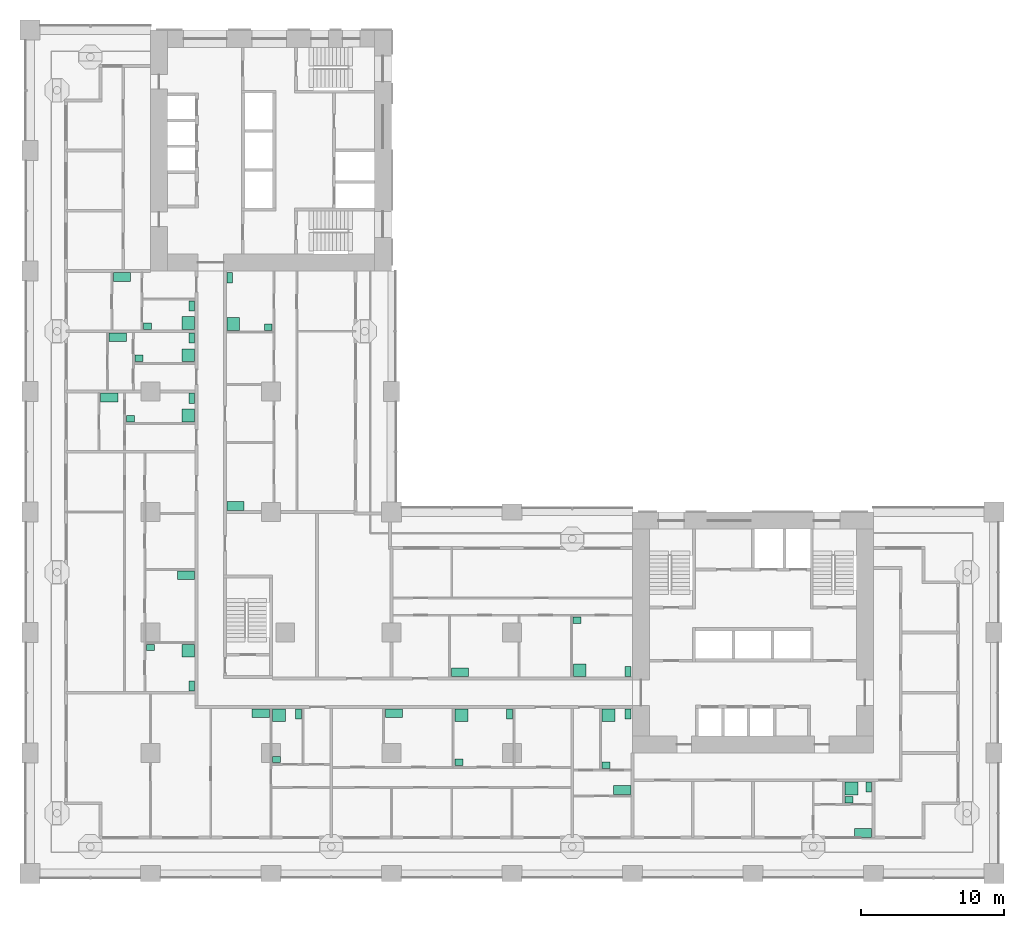
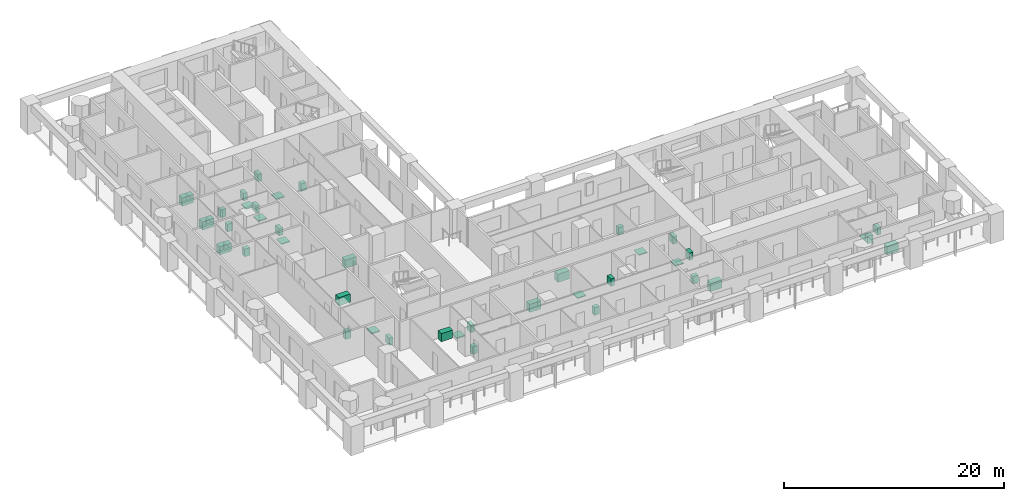
# One storey, part 17 of 19: 40 sanitary terminals.
"""IFC4 building model written with IfcOpenShell, lengths in metres."""

import ifcopenshell
import ifcopenshell.guid

model = None  # the IFC model being written
_history = None  # IfcOwnerHistory: only IFC2X3 demands one
_inside = {}  # id of a spatial element -> (the spatial element, [elements in it])
_under = {}  # id of a project, library or spatial element -> (it, [spatial elements below it])
_declared = {}  # id of a project -> (the project, [libraries it declares])
_typed = {}  # id of a type object -> (the type object, [elements of that type])
_made_of = {}  # id of a material, layer set ... -> (it, [elements and type objects made of it])


def new_model(schema):
    """Start an empty IFC model of exactly this schema.

    Asked for "IFC4X3", IfcOpenShell would pick the latest addendum, in which some entities
    have other attributes; the version numbers below select the first issue.
    IFC2X3 requires an IfcOwnerHistory on every rooted entity: one is made here for all.
    """
    global model, _history
    if schema == "IFC4X3":
        model = ifcopenshell.file(schema_version=(4, 3, 0, 0))
    else:
        model = ifcopenshell.file(schema=schema)
    _inside.clear()
    _under.clear()
    _declared.clear()
    _typed.clear()
    _made_of.clear()
    _history = None
    if model.schema == "IFC2X3":
        org = make("IfcOrganization", Name="unknown")
        user = make(
            "IfcPersonAndOrganization",
            ThePerson=make("IfcPerson", FamilyName="unknown"),
            TheOrganization=org,
        )
        app = make(
            "IfcApplication",
            ApplicationDeveloper=org,
            Version="unknown",
            ApplicationFullName="unknown",
            ApplicationIdentifier="unknown",
        )
        _history = make(
            "IfcOwnerHistory",
            OwningUser=user,
            OwningApplication=app,
            ChangeAction="ADDED",
            CreationDate=0,
        )
    return model


def make(cls, **values):
    """One entity of the class cls with the attributes given. An attribute that is None is left unset."""
    return model.create_entity(
        cls, **{name: value for name, value in values.items() if value is not None}
    )


def rooted(cls, **values):
    """An entity with a GlobalId (a new one), such as an element, a storey or a relation."""
    return make(cls, GlobalId=ifcopenshell.guid.new(), OwnerHistory=_history, **values)


def si_unit(unit_type, name, prefix=None):
    """IfcSIUnit, for example si_unit("LENGTHUNIT", "METRE", prefix="MILLI")."""
    return make("IfcSIUnit", UnitType=unit_type, Prefix=prefix, Name=name)


def assignment(units):
    """IfcUnitAssignment: the units of a project."""
    return None if units is None else make("IfcUnitAssignment", Units=units)


def point(xyz):
    """IfcCartesianPoint."""
    return None if xyz is None else make("IfcCartesianPoint", Coordinates=xyz)


def direction(xyz):
    """IfcDirection."""
    return None if xyz is None else make("IfcDirection", DirectionRatios=xyz)


def frame(location, z_axis=None, x_axis=None):
    """IfcAxis2Placement3D, a coordinate frame: its origin and axes. An axis left out is left unset."""
    return make(
        "IfcAxis2Placement3D",
        Location=point(location),
        Axis=direction(z_axis),
        RefDirection=direction(x_axis),
    )


def frame_2d(location, x_axis=None):
    """IfcAxis2Placement2D, a coordinate frame in the plane: its origin and x axis."""
    return make(
        "IfcAxis2Placement2D", Location=point(location), RefDirection=direction(x_axis)
    )


def origin():
    """The frame at (0, 0, 0) with its axes left unset."""
    return frame((0.0, 0.0, 0.0))


def origin_2d():
    """The frame at (0, 0) in the plane with its x axis left unset."""
    return frame_2d((0.0, 0.0))


def place(relative_to, where):
    """IfcLocalPlacement: puts the frame where relative to a parent placement (None: the world)."""
    return make(
        "IfcLocalPlacement", PlacementRelTo=relative_to, RelativePlacement=where
    )


def context(
    kind, dimensions, precision=None, world=None, true_north=None, identifier=None
):
    """IfcGeometricRepresentationContext, for example the 3D "Model" context."""
    return make(
        "IfcGeometricRepresentationContext",
        ContextIdentifier=identifier,
        ContextType=kind,
        CoordinateSpaceDimension=dimensions,
        Precision=precision,
        WorldCoordinateSystem=world,
        TrueNorth=true_north,
    )


def subcontext(parent, identifier, kind, view, scale=None):
    """IfcGeometricRepresentationSubContext, for example "Body" below "Model"."""
    return make(
        "IfcGeometricRepresentationSubContext",
        ContextIdentifier=identifier,
        ContextType=kind,
        ParentContext=parent,
        TargetScale=scale,
        TargetView=view,
    )


def project(units=None, contexts=None):
    """IfcProject with its units and contexts."""
    return rooted(
        "IfcProject",
        Name="project",
        RepresentationContexts=contexts,
        UnitsInContext=assignment(units),
    )


def spatial(cls, under=None, at=None, **own):
    """A site, building, storey or space (cls), placed at a placement, below another one or the project."""
    s = rooted(cls, ObjectPlacement=at, **own)
    if under is not None:
        _under.setdefault(under.id(), (under, []))[1].append(s)
    return s


def profile(cls, at=None, kind="AREA", **sizes):
    """A parametric profile (cls). Its sizes go by their IFC names, for example OverallWidth=200.0."""
    return make(cls, ProfileType=kind, Position=at, **sizes)


def rectangle(**sizes):
    """IfcRectangleProfileDef."""
    return profile("IfcRectangleProfileDef", **sizes)


def extrude(swept, where, along, depth):
    """IfcExtrudedAreaSolid: the profile swept, set in the frame where, extruded along a direction by depth."""
    return make(
        "IfcExtrudedAreaSolid",
        SweptArea=swept,
        Position=where,
        ExtrudedDirection=direction(along),
        Depth=depth,
    )


def shape(context_of_items, identifier, shape_type, items):
    """IfcShapeRepresentation: the items that make up one representation, for example the "Body"."""
    return make(
        "IfcShapeRepresentation",
        ContextOfItems=context_of_items,
        RepresentationIdentifier=identifier,
        RepresentationType=shape_type,
        Items=items,
    )


def material(Name=None, Category=None):
    """IfcMaterial."""
    return make("IfcMaterial", Name=Name, Category=Category)


def made_of(thing, what):
    """Note that an element or type object is made of a material, layer set ...; save() writes the relation."""
    if what is not None:
        _made_of.setdefault(what.id(), (what, []))[1].append(thing)
    return thing


def element(
    cls,
    number,
    at=None,
    inside=None,
    cuts=None,
    type_object=None,
    material=None,
    context=None,
    identifier="Body",
    shape_type=None,
    held_by="IfcProductDefinitionShape",
    body=None,
    shapes=None,
    **own,
):
    """One element of the class cls, such as IfcWall. Its Tag is "e" and its number.

    at: its placement. inside: the storey or other place that contains it. cuts: it is an
    opening in that element (IfcRelVoidsElement). A single representation is given by context,
    identifier, shape_type and body (its items); several are given by shapes. held_by: the class
    of the entity that holds the representations. save() writes the other relations.
    """
    e = rooted(cls, Tag="e%d" % number, ObjectPlacement=at, **own)
    if body is not None:
        shapes = [shape(context, identifier, shape_type, body)]
    if shapes is not None:
        e.Representation = make(held_by, Representations=shapes)
    if inside is not None:
        _inside.setdefault(inside.id(), (inside, []))[1].append(e)
    if cuts is not None:
        rooted(
            "IfcRelVoidsElement", RelatingBuildingElement=cuts, RelatedOpeningElement=e
        )
    if type_object is not None:
        _typed.setdefault(type_object.id(), (type_object, []))[1].append(e)
    return made_of(e, material)


def aggregate(whole, parts):
    """IfcRelAggregates: a whole, such as a stair, and the parts it consists of."""
    return rooted("IfcRelAggregates", RelatingObject=whole, RelatedObjects=parts)


def save(model, path):
    """Write the relations noted so far, then the file.

    IfcRelAggregates (storeys below a building ...), IfcRelContainedInSpatialStructure (elements
    in a storey), IfcRelDefinesByType, IfcRelAssociatesMaterial and IfcRelDeclares: one each for
    every whole, place, type object, material and project.
    """
    for whole, parts in _under.values():
        aggregate(whole, parts)
    for where, things in _inside.values():
        rooted(
            "IfcRelContainedInSpatialStructure",
            RelatedElements=things,
            RelatingStructure=where,
        )
    for kind, things in _typed.values():
        rooted("IfcRelDefinesByType", RelatedObjects=things, RelatingType=kind)
    for what, things in _made_of.values():
        rooted("IfcRelAssociatesMaterial", RelatedObjects=things, RelatingMaterial=what)
    for by, libraries in _declared.values():
        rooted("IfcRelDeclares", RelatingContext=by, RelatedDefinitions=libraries)
    model.write(path)


model = new_model("IFC4")

# Units and contexts
model_context = context("Model", 3, precision=1e-05, world=origin(), true_north=direction((0.0, 1.0)))
body_context = subcontext(model_context, "Body", "Model", "MODEL_VIEW")
ifc_project = project(units=[si_unit("LENGTHUNIT", "METRE"), si_unit("AREAUNIT", "SQUARE_METRE"), si_unit("VOLUMEUNIT", "CUBIC_METRE"), si_unit("PLANEANGLEUNIT", "RADIAN"), si_unit("MASSUNIT", "GRAM", prefix="KILO")], contexts=[model_context])

# Site, building, storey
site_placement = place(None, origin())
site = spatial("IfcSite", under=ifc_project, at=site_placement, CompositionType="ELEMENT")
building_placement = place(site_placement, origin())
building = spatial("IfcBuilding", under=site, at=building_placement, Name="Vermilion Gate Residences", CompositionType="ELEMENT")
storey_placement = place(building_placement, frame((0.0, 0.0, 32.199951171875)))
storey = spatial("IfcBuildingStorey", under=building, at=storey_placement, Name="L06", CompositionType="ELEMENT", Elevation=32.199951171875)

# Sanitary terminals
ifc_material_1 = material(Name="Stainless steel", Category="steel")
sanitary_terminal_1_placement = place(storey_placement, frame((16.080078125, 11.179931640625, 0.0), z_axis=(0.0, 0.0, 1.0), x_axis=(1.0, 0.0, 0.0)))
element("IfcSanitaryTerminal", 1, at=sanitary_terminal_1_placement, inside=storey, material=ifc_material_1, Name="Kitchen sink", PredefinedType="SINK", context=body_context, shape_type="SweptSolid", body=[
    extrude(rectangle(XDim=1.199951171875, YDim=0.60009765625, at=origin_2d()), origin(), (0.0, 0.0, 1.0), 0.89990234375),
])
ifc_material_2 = material(Name="Vitreous china")
sanitary_terminal_2_placement = place(storey_placement, frame((17.3701171875, 11.030029296875, 0.0), z_axis=(0.0, 0.0, 1.0), x_axis=(1.0, 0.0, 0.0)))
element("IfcSanitaryTerminal", 2, at=sanitary_terminal_2_placement, inside=storey, material=ifc_material_2, Name="Shower tray", PredefinedType="SHOWER", context=body_context, shape_type="SweptSolid", body=[
    extrude(rectangle(XDim=0.89990234375, YDim=0.89990234375, at=origin_2d()), origin(), (0.0, 0.0, 1.0), 0.10009765625),
])
sanitary_terminal_3_placement = place(storey_placement, frame((18.719970703125, 11.1298828125, 0.0), z_axis=(0.0, 0.0, 1.0), x_axis=(1.0, 0.0, 0.0)))
element("IfcSanitaryTerminal", 3, at=sanitary_terminal_3_placement, inside=storey, material=ifc_material_2, Name="Toilet", PredefinedType="TOILETPAN", context=body_context, shape_type="SweptSolid", body=[
    extrude(rectangle(XDim=0.39990234375, YDim=0.699951171875, at=origin_2d()), origin(), (0.0, 0.0, 1.0), 0.800048828125),
])
sanitary_terminal_4_placement = place(storey_placement, frame((17.195068359375, 7.945068359375, 0.0), z_axis=(0.0, 0.0, 1.0), x_axis=(1.0, 0.0, 0.0)))
element("IfcSanitaryTerminal", 4, at=sanitary_terminal_4_placement, inside=storey, material=ifc_material_2, Name="Wash basin", PredefinedType="WASHHANDBASIN", context=body_context, shape_type="SweptSolid", body=[
    extrude(rectangle(XDim=0.550048828125, YDim=0.449951171875, at=origin_2d()), origin(), (0.0, 0.0, 1.0), 0.85009765625),
])
sanitary_terminal_5_placement = place(storey_placement, frame((25.3701171875, 11.179931640625, 0.0), z_axis=(0.0, 0.0, 1.0), x_axis=(1.0, 0.0, 0.0)))
element("IfcSanitaryTerminal", 5, at=sanitary_terminal_5_placement, inside=storey, material=ifc_material_1, Name="Kitchen sink", PredefinedType="SINK", context=body_context, shape_type="SweptSolid", body=[
    extrude(rectangle(XDim=1.199951171875, YDim=0.60009765625, at=origin_2d()), origin(), (0.0, 0.0, 1.0), 0.89990234375),
])
sanitary_terminal_6_placement = place(storey_placement, frame((30.070068359375, 11.030029296875, 0.0), z_axis=(0.0, 0.0, 1.0), x_axis=(1.0, 0.0, 0.0)))
element("IfcSanitaryTerminal", 6, at=sanitary_terminal_6_placement, inside=storey, material=ifc_material_2, Name="Shower tray", PredefinedType="SHOWER", context=body_context, shape_type="SweptSolid", body=[
    extrude(rectangle(XDim=0.89990234375, YDim=0.89990234375, at=origin_2d()), origin(), (0.0, 0.0, 1.0), 0.10009765625),
])
sanitary_terminal_7_placement = place(storey_placement, frame((33.429931640625, 11.1298828125, 0.0), z_axis=(0.0, 0.0, 1.0), x_axis=(1.0, 0.0, 0.0)))
element("IfcSanitaryTerminal", 7, at=sanitary_terminal_7_placement, inside=storey, material=ifc_material_2, Name="Toilet", PredefinedType="TOILETPAN", context=body_context, shape_type="SweptSolid", body=[
    extrude(rectangle(XDim=0.39990234375, YDim=0.699951171875, at=origin_2d()), origin(), (0.0, 0.0, 1.0), 0.800048828125),
])
sanitary_terminal_8_placement = place(storey_placement, frame((29.89501953125, 7.7451171875, 0.0), z_axis=(0.0, 0.0, 1.0), x_axis=(1.0, 0.0, 0.0)))
element("IfcSanitaryTerminal", 8, at=sanitary_terminal_8_placement, inside=storey, material=ifc_material_2, Name="Wash basin", PredefinedType="WASHHANDBASIN", context=body_context, shape_type="SweptSolid", body=[
    extrude(rectangle(XDim=0.550048828125, YDim=0.449951171875, at=origin_2d()), origin(), (0.0, 0.0, 1.0), 0.85009765625),
])
sanitary_terminal_9_placement = place(storey_placement, frame((41.280029296875, 5.820068359375, 0.0), z_axis=(0.0, 0.0, 1.0), x_axis=(1.0, 0.0, 0.0)))
element("IfcSanitaryTerminal", 9, at=sanitary_terminal_9_placement, inside=storey, material=ifc_material_1, Name="Kitchen sink", PredefinedType="SINK", context=body_context, shape_type="SweptSolid", body=[
    extrude(rectangle(XDim=1.199951171875, YDim=0.60009765625, at=origin_2d()), origin(), (0.0, 0.0, 1.0), 0.89990234375),
])
sanitary_terminal_10_placement = place(storey_placement, frame((40.330078125, 11.030029296875, 0.0), z_axis=(0.0, 0.0, 1.0), x_axis=(1.0, 0.0, 0.0)))
element("IfcSanitaryTerminal", 10, at=sanitary_terminal_10_placement, inside=storey, material=ifc_material_2, Name="Shower tray", PredefinedType="SHOWER", context=body_context, shape_type="SweptSolid", body=[
    extrude(rectangle(XDim=0.89990234375, YDim=0.89990234375, at=origin_2d()), origin(), (0.0, 0.0, 1.0), 0.10009765625),
])
sanitary_terminal_11_placement = place(storey_placement, frame((41.679931640625, 11.1298828125, 0.0), z_axis=(0.0, 0.0, 1.0), x_axis=(1.0, 0.0, 0.0)))
element("IfcSanitaryTerminal", 11, at=sanitary_terminal_11_placement, inside=storey, material=ifc_material_2, Name="Toilet", PredefinedType="TOILETPAN", context=body_context, shape_type="SweptSolid", body=[
    extrude(rectangle(XDim=0.39990234375, YDim=0.699951171875, at=origin_2d()), origin(), (0.0, 0.0, 1.0), 0.800048828125),
])
sanitary_terminal_12_placement = place(storey_placement, frame((40.155029296875, 7.544921875, 0.0), z_axis=(0.0, 0.0, 1.0), x_axis=(1.0, 0.0, 0.0)))
element("IfcSanitaryTerminal", 12, at=sanitary_terminal_12_placement, inside=storey, material=ifc_material_2, Name="Wash basin", PredefinedType="WASHHANDBASIN", context=body_context, shape_type="SweptSolid", body=[
    extrude(rectangle(XDim=0.550048828125, YDim=0.449951171875, at=origin_2d()), origin(), (0.0, 0.0, 1.0), 0.85009765625),
])
sanitary_terminal_13_placement = place(storey_placement, frame((29.969970703125, 14.02001953125, 0.0), z_axis=(0.0, 0.0, 1.0), x_axis=(1.0, 0.0, 0.0)))
element("IfcSanitaryTerminal", 13, at=sanitary_terminal_13_placement, inside=storey, material=ifc_material_1, Name="Kitchen sink", PredefinedType="SINK", context=body_context, shape_type="SweptSolid", body=[
    extrude(rectangle(XDim=1.199951171875, YDim=0.60009765625, at=origin_2d()), origin(), (0.0, 0.0, 1.0), 0.89990234375),
])
sanitary_terminal_14_placement = place(storey_placement, frame((38.320068359375, 14.169921875, 0.0), z_axis=(0.0, 0.0, 1.0), x_axis=(1.0, 0.0, 0.0)))
element("IfcSanitaryTerminal", 14, at=sanitary_terminal_14_placement, inside=storey, material=ifc_material_2, Name="Shower tray", PredefinedType="SHOWER", context=body_context, shape_type="SweptSolid", body=[
    extrude(rectangle(XDim=0.89990234375, YDim=0.89990234375, at=origin_2d()), origin(), (0.0, 0.0, 1.0), 0.10009765625),
])
sanitary_terminal_15_placement = place(storey_placement, frame((41.679931640625, 14.070068359375, 0.0), z_axis=(0.0, 0.0, 1.0), x_axis=(1.0, 0.0, 0.0)))
element("IfcSanitaryTerminal", 15, at=sanitary_terminal_15_placement, inside=storey, material=ifc_material_2, Name="Toilet", PredefinedType="TOILETPAN", context=body_context, shape_type="SweptSolid", body=[
    extrude(rectangle(XDim=0.39990234375, YDim=0.699951171875, at=origin_2d()), origin(), (0.0, 0.0, 1.0), 0.800048828125),
])
sanitary_terminal_16_placement = place(storey_placement, frame((38.14501953125, 17.655029296875, 0.0), z_axis=(0.0, 0.0, 1.0), x_axis=(1.0, 0.0, 0.0)))
element("IfcSanitaryTerminal", 16, at=sanitary_terminal_16_placement, inside=storey, material=ifc_material_2, Name="Wash basin", PredefinedType="WASHHANDBASIN", context=body_context, shape_type="SweptSolid", body=[
    extrude(rectangle(XDim=0.550048828125, YDim=0.449951171875, at=origin_2d()), origin(), (0.0, 0.0, 1.0), 0.85009765625),
])
sanitary_terminal_17_placement = place(storey_placement, frame((11.030029296875, 15.530029296875, 0.0), z_axis=(0.0, 0.0, 1.0), x_axis=(1.0, 0.0, 0.0)))
element("IfcSanitaryTerminal", 17, at=sanitary_terminal_17_placement, inside=storey, material=ifc_material_2, Name="Shower tray", PredefinedType="SHOWER", context=body_context, shape_type="SweptSolid", body=[
    extrude(rectangle(XDim=0.89990234375, YDim=0.89990234375, at=origin_2d()), origin(), (0.0, 0.0, 1.0), 0.10009765625),
])
sanitary_terminal_18_placement = place(storey_placement, frame((11.280029296875, 13.070068359375, 0.0), z_axis=(0.0, 0.0, 1.0), x_axis=(1.0, 0.0, 0.0)))
element("IfcSanitaryTerminal", 18, at=sanitary_terminal_18_placement, inside=storey, material=ifc_material_2, Name="Toilet", PredefinedType="TOILETPAN", context=body_context, shape_type="SweptSolid", body=[
    extrude(rectangle(XDim=0.39990234375, YDim=0.699951171875, at=origin_2d()), origin(), (0.0, 0.0, 1.0), 0.800048828125),
])
sanitary_terminal_19_placement = place(storey_placement, frame((8.39501953125, 15.7548828125, 0.0), z_axis=(0.0, 0.0, 1.0), x_axis=(1.0, 0.0, 0.0)))
element("IfcSanitaryTerminal", 19, at=sanitary_terminal_19_placement, inside=storey, material=ifc_material_2, Name="Wash basin", PredefinedType="WASHHANDBASIN", context=body_context, shape_type="SweptSolid", body=[
    extrude(rectangle(XDim=0.550048828125, YDim=0.449951171875, at=origin_2d()), origin(), (0.0, 0.0, 1.0), 0.85009765625),
])
for number, where, z_axis, x_axis, name in (
    (20, (10.8798828125, 20.780029296875, 0.0), (0.0, 0.0, 1.0), (1.0, 0.0, 0.0), "Kitchen sink"),
    (21, (5.52001953125, 33.179931640625, 0.0), (0.0, 0.0, 1.0), (1.0, 0.0, 0.0), "Kitchen sink"),
):
    element("IfcSanitaryTerminal", number, at=place(storey_placement, frame(where, z_axis=z_axis, x_axis=x_axis)), inside=storey, material=ifc_material_1, Name=name, PredefinedType="SINK", context=body_context, shape_type="SweptSolid", body=[
        extrude(rectangle(XDim=1.199951171875, YDim=0.60009765625, at=origin_2d()), origin(), (0.0, 0.0, 1.0), 0.89990234375),
    ])
sanitary_terminal_20_placement = place(storey_placement, frame((11.030029296875, 31.929931640625, 0.0), z_axis=(0.0, 0.0, 1.0), x_axis=(1.0, 0.0, 0.0)))
element("IfcSanitaryTerminal", 22, at=sanitary_terminal_20_placement, inside=storey, material=ifc_material_2, Name="Shower tray", PredefinedType="SHOWER", context=body_context, shape_type="SweptSolid", body=[
    extrude(rectangle(XDim=0.89990234375, YDim=0.89990234375, at=origin_2d()), origin(), (0.0, 0.0, 1.0), 0.10009765625),
])
sanitary_terminal_21_placement = place(storey_placement, frame((11.280029296875, 33.1298828125, 0.0), z_axis=(0.0, 0.0, 1.0), x_axis=(1.0, 0.0, 0.0)))
element("IfcSanitaryTerminal", 23, at=sanitary_terminal_21_placement, inside=storey, material=ifc_material_2, Name="Toilet", PredefinedType="TOILETPAN", context=body_context, shape_type="SweptSolid", body=[
    extrude(rectangle(XDim=0.39990234375, YDim=0.699951171875, at=origin_2d()), origin(), (0.0, 0.0, 1.0), 0.800048828125),
])
sanitary_terminal_22_placement = place(storey_placement, frame((6.9951171875, 31.705078125, 0.0), z_axis=(0.0, 0.0, 1.0), x_axis=(1.0, 0.0, 0.0)))
element("IfcSanitaryTerminal", 24, at=sanitary_terminal_22_placement, inside=storey, material=ifc_material_2, Name="Wash basin", PredefinedType="WASHHANDBASIN", context=body_context, shape_type="SweptSolid", body=[
    extrude(rectangle(XDim=0.550048828125, YDim=0.449951171875, at=origin_2d()), origin(), (0.0, 0.0, 1.0), 0.85009765625),
])
sanitary_terminal_23_placement = place(storey_placement, frame((6.1201171875, 37.3798828125, 0.0), z_axis=(0.0, 0.0, 1.0), x_axis=(1.0, 0.0, 0.0)))
element("IfcSanitaryTerminal", 25, at=sanitary_terminal_23_placement, inside=storey, material=ifc_material_1, Name="Kitchen sink", PredefinedType="SINK", context=body_context, shape_type="SweptSolid", body=[
    extrude(rectangle(XDim=1.199951171875, YDim=0.60009765625, at=origin_2d()), origin(), (0.0, 0.0, 1.0), 0.89990234375),
])
sanitary_terminal_24_placement = place(storey_placement, frame((11.030029296875, 36.1298828125, 0.0), z_axis=(0.0, 0.0, 1.0), x_axis=(1.0, 0.0, 0.0)))
element("IfcSanitaryTerminal", 26, at=sanitary_terminal_24_placement, inside=storey, material=ifc_material_2, Name="Shower tray", PredefinedType="SHOWER", context=body_context, shape_type="SweptSolid", body=[
    extrude(rectangle(XDim=0.89990234375, YDim=0.89990234375, at=origin_2d()), origin(), (0.0, 0.0, 1.0), 0.10009765625),
])
sanitary_terminal_25_placement = place(storey_placement, frame((11.280029296875, 37.330078125, 0.0), z_axis=(0.0, 0.0, 1.0), x_axis=(1.0, 0.0, 0.0)))
element("IfcSanitaryTerminal", 27, at=sanitary_terminal_25_placement, inside=storey, material=ifc_material_2, Name="Toilet", PredefinedType="TOILETPAN", context=body_context, shape_type="SweptSolid", body=[
    extrude(rectangle(XDim=0.39990234375, YDim=0.699951171875, at=origin_2d()), origin(), (0.0, 0.0, 1.0), 0.800048828125),
])
sanitary_terminal_26_placement = place(storey_placement, frame((7.594970703125, 35.905029296875, 0.0), z_axis=(0.0, 0.0, 1.0), x_axis=(1.0, 0.0, 0.0)))
element("IfcSanitaryTerminal", 28, at=sanitary_terminal_26_placement, inside=storey, material=ifc_material_2, Name="Wash basin", PredefinedType="WASHHANDBASIN", context=body_context, shape_type="SweptSolid", body=[
    extrude(rectangle(XDim=0.550048828125, YDim=0.449951171875, at=origin_2d()), origin(), (0.0, 0.0, 1.0), 0.85009765625),
])
sanitary_terminal_27_placement = place(storey_placement, frame((6.419921875, 41.580078125, 0.0), z_axis=(0.0, 0.0, 1.0), x_axis=(1.0, 0.0, 0.0)))
element("IfcSanitaryTerminal", 29, at=sanitary_terminal_27_placement, inside=storey, material=ifc_material_1, Name="Kitchen sink", PredefinedType="SINK", context=body_context, shape_type="SweptSolid", body=[
    extrude(rectangle(XDim=1.199951171875, YDim=0.60009765625, at=origin_2d()), origin(), (0.0, 0.0, 1.0), 0.89990234375),
])
sanitary_terminal_28_placement = place(storey_placement, frame((11.030029296875, 38.3701171875, 0.0), z_axis=(0.0, 0.0, 1.0), x_axis=(1.0, 0.0, 0.0)))
element("IfcSanitaryTerminal", 30, at=sanitary_terminal_28_placement, inside=storey, material=ifc_material_2, Name="Shower tray", PredefinedType="SHOWER", context=body_context, shape_type="SweptSolid", body=[
    extrude(rectangle(XDim=0.89990234375, YDim=0.89990234375, at=origin_2d()), origin(), (0.0, 0.0, 1.0), 0.10009765625),
])
sanitary_terminal_29_placement = place(storey_placement, frame((11.280029296875, 39.570068359375, 0.0), z_axis=(0.0, 0.0, 1.0), x_axis=(1.0, 0.0, 0.0)))
element("IfcSanitaryTerminal", 31, at=sanitary_terminal_29_placement, inside=storey, material=ifc_material_2, Name="Toilet", PredefinedType="TOILETPAN", context=body_context, shape_type="SweptSolid", body=[
    extrude(rectangle(XDim=0.39990234375, YDim=0.699951171875, at=origin_2d()), origin(), (0.0, 0.0, 1.0), 0.800048828125),
])
sanitary_terminal_30_placement = place(storey_placement, frame((8.195068359375, 38.14501953125, 0.0), z_axis=(0.0, 0.0, 1.0), x_axis=(1.0, 0.0, 0.0)))
element("IfcSanitaryTerminal", 32, at=sanitary_terminal_30_placement, inside=storey, material=ifc_material_2, Name="Wash basin", PredefinedType="WASHHANDBASIN", context=body_context, shape_type="SweptSolid", body=[
    extrude(rectangle(XDim=0.550048828125, YDim=0.449951171875, at=origin_2d()), origin(), (0.0, 0.0, 1.0), 0.85009765625),
])
sanitary_terminal_31_placement = place(storey_placement, frame((14.320068359375, 25.6201171875, 0.0), z_axis=(0.0, 0.0, 1.0), x_axis=(1.0, 0.0, 0.0)))
element("IfcSanitaryTerminal", 33, at=sanitary_terminal_31_placement, inside=storey, material=ifc_material_1, Name="Kitchen sink", PredefinedType="SINK", context=body_context, shape_type="SweptSolid", body=[
    extrude(rectangle(XDim=1.199951171875, YDim=0.60009765625, at=origin_2d()), origin(), (0.0, 0.0, 1.0), 0.89990234375),
])
sanitary_terminal_32_placement = place(storey_placement, frame((14.169921875, 38.320068359375, 0.0), z_axis=(0.0, 0.0, 1.0), x_axis=(1.0, 0.0, 0.0)))
element("IfcSanitaryTerminal", 34, at=sanitary_terminal_32_placement, inside=storey, material=ifc_material_2, Name="Shower tray", PredefinedType="SHOWER", context=body_context, shape_type="SweptSolid", body=[
    extrude(rectangle(XDim=0.89990234375, YDim=0.89990234375, at=origin_2d()), origin(), (0.0, 0.0, 1.0), 0.10009765625),
])
sanitary_terminal_33_placement = place(storey_placement, frame((13.919921875, 41.530029296875, 0.0), z_axis=(0.0, 0.0, 1.0), x_axis=(1.0, 0.0, 0.0)))
element("IfcSanitaryTerminal", 35, at=sanitary_terminal_33_placement, inside=storey, material=ifc_material_2, Name="Toilet", PredefinedType="TOILETPAN", context=body_context, shape_type="SweptSolid", body=[
    extrude(rectangle(XDim=0.39990234375, YDim=0.699951171875, at=origin_2d()), origin(), (0.0, 0.0, 1.0), 0.800048828125),
])
sanitary_terminal_34_placement = place(storey_placement, frame((16.60498046875, 38.094970703125, 0.0), z_axis=(0.0, 0.0, 1.0), x_axis=(1.0, 0.0, 0.0)))
element("IfcSanitaryTerminal", 36, at=sanitary_terminal_34_placement, inside=storey, material=ifc_material_2, Name="Wash basin", PredefinedType="WASHHANDBASIN", context=body_context, shape_type="SweptSolid", body=[
    extrude(rectangle(XDim=0.550048828125, YDim=0.449951171875, at=origin_2d()), origin(), (0.0, 0.0, 1.0), 0.85009765625),
])
sanitary_terminal_35_placement = place(storey_placement, frame((58.080078125, 2.820068359375, 0.0), z_axis=(0.0, 0.0, 1.0), x_axis=(1.0, 0.0, 0.0)))
element("IfcSanitaryTerminal", 37, at=sanitary_terminal_35_placement, inside=storey, material=ifc_material_1, Name="Kitchen sink", PredefinedType="SINK", context=body_context, shape_type="SweptSolid", body=[
    extrude(rectangle(XDim=1.199951171875, YDim=0.60009765625, at=origin_2d()), origin(), (0.0, 0.0, 1.0), 0.89990234375),
])
sanitary_terminal_36_placement = place(storey_placement, frame((57.27001953125, 5.929931640625, 0.0), z_axis=(0.0, 0.0, 1.0), x_axis=(1.0, 0.0, 0.0)))
element("IfcSanitaryTerminal", 38, at=sanitary_terminal_36_placement, inside=storey, material=ifc_material_2, Name="Shower tray", PredefinedType="SHOWER", context=body_context, shape_type="SweptSolid", body=[
    extrude(rectangle(XDim=0.89990234375, YDim=0.89990234375, at=origin_2d()), origin(), (0.0, 0.0, 1.0), 0.10009765625),
])
sanitary_terminal_37_placement = place(storey_placement, frame((58.47998046875, 6.030029296875, 0.0), z_axis=(0.0, 0.0, 1.0), x_axis=(1.0, 0.0, 0.0)))
element("IfcSanitaryTerminal", 39, at=sanitary_terminal_37_placement, inside=storey, material=ifc_material_2, Name="Toilet", PredefinedType="TOILETPAN", context=body_context, shape_type="SweptSolid", body=[
    extrude(rectangle(XDim=0.39990234375, YDim=0.699951171875, at=origin_2d()), origin(), (0.0, 0.0, 1.0), 0.800048828125),
])
sanitary_terminal_38_placement = place(storey_placement, frame((57.094970703125, 5.14501953125, 0.0), z_axis=(0.0, 0.0, 1.0), x_axis=(1.0, 0.0, 0.0)))
element("IfcSanitaryTerminal", 40, at=sanitary_terminal_38_placement, inside=storey, material=ifc_material_2, Name="Wash basin", PredefinedType="WASHHANDBASIN", context=body_context, shape_type="SweptSolid", body=[
    extrude(rectangle(XDim=0.550048828125, YDim=0.449951171875, at=origin_2d()), origin(), (0.0, 0.0, 1.0), 0.85009765625),
])

save(model, "model.ifc")
